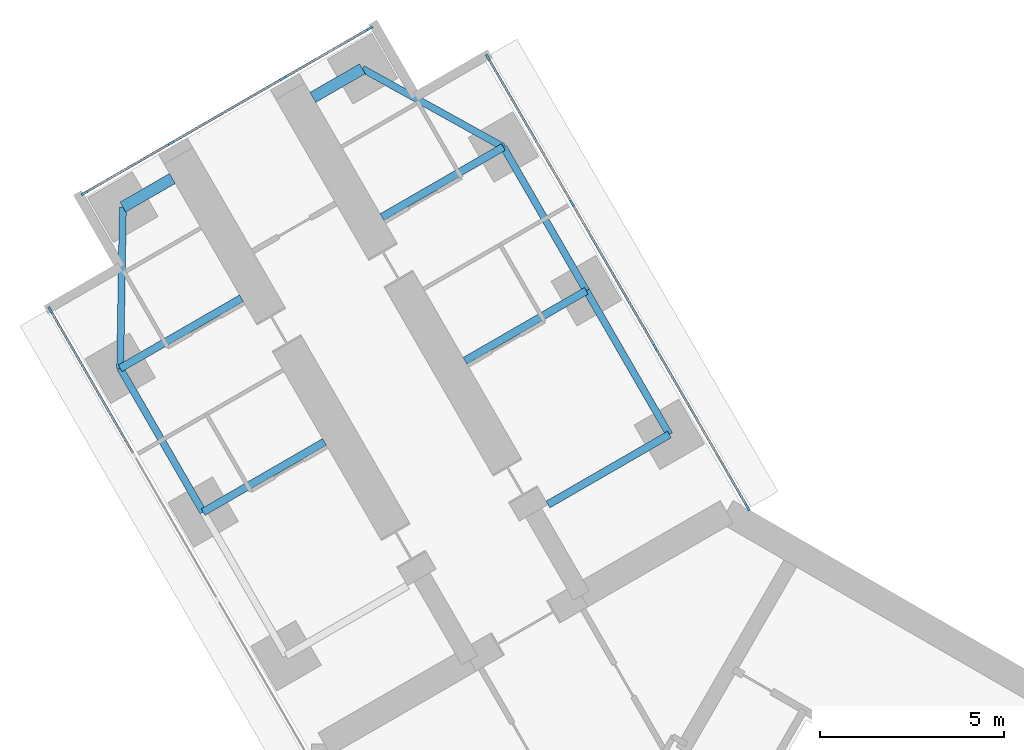
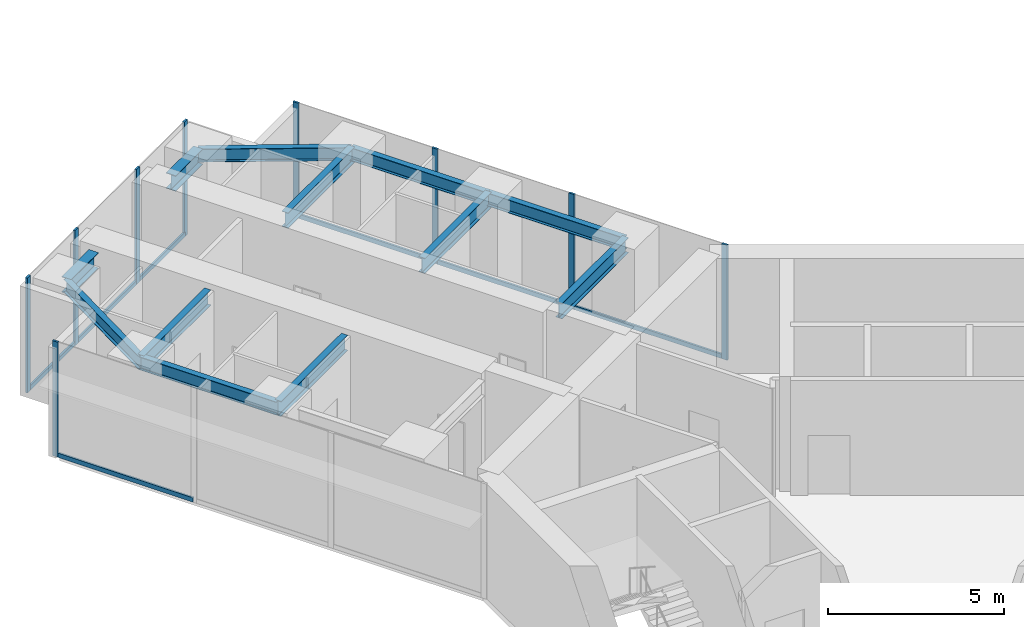
# One storey, part 7 of 25: 16 members, 12 beams, 3 elements without a shape of their own.
"""IFC4 building model written with IfcOpenShell, lengths in metres."""

from ifc_helpers import new_model, si_unit, direction, frame, origin, origin_2d, place, context, subcontext, project, spatial, rectangle, i_section, extrude, material, material_profile, profile_set, type_object, element, aggregate, save


model = new_model("IFC4")

# Units and contexts
model_context = context("Model", 3, precision=1e-05, world=origin(), true_north=direction((0.0, 1.0)))
body_context = subcontext(model_context, "Body", "Model", "MODEL_VIEW")
ifc_project = project(units=[si_unit("LENGTHUNIT", "METRE"), si_unit("AREAUNIT", "SQUARE_METRE"), si_unit("VOLUMEUNIT", "CUBIC_METRE"), si_unit("PLANEANGLEUNIT", "RADIAN"), si_unit("MASSUNIT", "GRAM", prefix="KILO")], contexts=[model_context])

# Site, building, storey
site_placement = place(None, origin())
site = spatial("IfcSite", under=ifc_project, at=site_placement, CompositionType="ELEMENT")
building_placement = place(site_placement, origin())
building = spatial("IfcBuilding", under=site, at=building_placement, Name="Upepo Twin Towers", CompositionType="ELEMENT")
storey_placement = place(building_placement, frame((0.0, 0.0, 80.5)))
storey = spatial("IfcBuildingStorey", under=building, at=storey_placement, Name="L19", CompositionType="ELEMENT", Elevation=80.5)

# Beams
ifc_material_1 = material(Name="Steel S355", Category="steel")
ifc_material_profile_1 = material_profile(ifc_material_1, i_section(OverallWidth=0.1904296875, OverallDepth=0.45703125, WebThickness=0.009033203125, FlangeThickness=0.014404296875, FilletRadius=0.01025390625, at=origin_2d()), Name="UB 457x191x74")
ifc_profile_set_1 = profile_set([ifc_material_profile_1], Name="Steel S355")
beam_type_1 = type_object("IfcBeamType", Name="Beam UB 457x191x74", PredefinedType="BEAM", material=ifc_profile_set_1)
beam_1_placement = place(storey_placement, frame((-14.196044921875, 12.58837890625, 3.571533203125), z_axis=(-0.499990139034, 0.866031096941, 0.0), x_axis=(-0.866031096941, -0.499990139034, 0.0)))
element("IfcBeam", 1, at=beam_1_placement, inside=storey, type_object=beam_type_1, Name="T1 edge beam BL 18.0-22.5", PredefinedType="BEAM", context=body_context, shape_type="SweptSolid", body=[
    extrude(i_section(OverallWidth=0.1904296875, OverallDepth=0.45703125, WebThickness=0.009033203125, FlangeThickness=0.014404296875, FilletRadius=0.01025390625, at=origin_2d()), origin(), (0.0, 0.0, 1.0), 4.5),
])
beam_2_placement = place(storey_placement, frame((-16.446044921875, 16.485595703125, 3.571533203125), z_axis=(0.016803880528, 0.999858804832, 0.0), x_axis=(-0.999858804832, 0.016803880528, 0.0)))
element("IfcBeam", 2, at=beam_2_placement, inside=storey, type_object=beam_type_1, Name="T1 nose edge beam BL", PredefinedType="BEAM", context=body_context, shape_type="SweptSolid", body=[
    extrude(i_section(OverallWidth=0.1904296875, OverallDepth=0.45703125, WebThickness=0.009033203125, FlangeThickness=0.014404296875, FilletRadius=0.01025390625, at=origin_2d()), origin(), (0.0, 0.0, 1.0), 4.373291015625),
])
beam_3_placement = place(storey_placement, frame((-1.553955078125, 14.69140625, 3.571533203125), z_axis=(-0.500013631625, 0.866017533419, 0.0), x_axis=(-0.866017533419, -0.500013631625, 0.0)))
element("IfcBeam", 3, at=beam_3_placement, inside=storey, type_object=beam_type_1, Name="T1 edge beam BR 13.5-18.0", PredefinedType="BEAM", context=body_context, shape_type="SweptSolid", body=[
    extrude(i_section(OverallWidth=0.1904296875, OverallDepth=0.45703125, WebThickness=0.009033203125, FlangeThickness=0.014404296875, FilletRadius=0.01025390625, at=origin_2d()), origin(), (0.0, 0.0, 1.0), 4.499755859375),
])
beam_4_placement = place(storey_placement, frame((-3.803955078125, 18.58837890625, 3.571533203125), z_axis=(-0.499990139034, 0.866031096941, 0.0), x_axis=(-0.866031096941, -0.499990139034, 0.0)))
element("IfcBeam", 4, at=beam_4_placement, inside=storey, type_object=beam_type_1, Name="T1 edge beam BR 18.0-22.5", PredefinedType="BEAM", context=body_context, shape_type="SweptSolid", body=[
    extrude(i_section(OverallWidth=0.1904296875, OverallDepth=0.45703125, WebThickness=0.009033203125, FlangeThickness=0.014404296875, FilletRadius=0.01025390625, at=origin_2d()), origin(), (0.0, 0.0, 1.0), 4.5),
])
beam_5_placement = place(storey_placement, frame((-6.053955078125, 22.485595703125, 3.571533203125), z_axis=(-0.874312600038, 0.485363242752, 0.0), x_axis=(-0.485363242752, -0.874312600038, 0.0)))
element("IfcBeam", 5, at=beam_5_placement, inside=storey, type_object=beam_type_1, Name="T1 nose edge beam BR", PredefinedType="BEAM", context=body_context, shape_type="SweptSolid", body=[
    extrude(i_section(OverallWidth=0.1904296875, OverallDepth=0.45703125, WebThickness=0.009033203125, FlangeThickness=0.014404296875, FilletRadius=0.01025390625, at=origin_2d()), origin(), (0.0, 0.0, 1.0), 4.373046875),
])
ifc_material_2 = material(Name="Steel S355", Category="steel")
ifc_material_profile_2 = material_profile(ifc_material_2, i_section(OverallWidth=0.209228515625, OverallDepth=0.533203125, WebThickness=0.010009765625, FlangeThickness=0.015625, FilletRadius=0.0126953125, at=origin_2d()), Name="UB 533x210x92")
ifc_profile_set_2 = profile_set([ifc_material_profile_2], Name="Steel S355")
beam_type_2 = type_object("IfcBeamType", Name="Beam UB 533x210x92", PredefinedType="BEAM", material=ifc_profile_set_2)
beam_6_placement = place(storey_placement, frame((-14.196044921875, 12.58837890625, 3.533447265625), z_axis=(0.866000483506, 0.500043160704, 0.0), x_axis=(-0.500043160704, 0.866000483506, 0.0)))
element("IfcBeam", 6, at=beam_6_placement, inside=storey, type_object=beam_type_2, Name="T1 girder BL at 18.0", PredefinedType="BEAM", context=body_context, shape_type="SweptSolid", body=[
    extrude(i_section(OverallWidth=0.209228515625, OverallDepth=0.533203125, WebThickness=0.010009765625, FlangeThickness=0.015625, FilletRadius=0.0126953125, at=origin_2d()), origin(), (0.0, 0.0, 1.0), 3.800048828125),
])
beam_7_placement = place(storey_placement, frame((-16.446044921875, 16.485595703125, 3.533447265625), z_axis=(0.866028304915, 0.499994975061, 0.0), x_axis=(-0.499994975061, 0.866028304915, 0.0)))
element("IfcBeam", 7, at=beam_7_placement, inside=storey, type_object=beam_type_2, Name="T1 girder BL at 22.5", PredefinedType="BEAM", context=body_context, shape_type="SweptSolid", body=[
    extrude(i_section(OverallWidth=0.209228515625, OverallDepth=0.533203125, WebThickness=0.010009765625, FlangeThickness=0.015625, FilletRadius=0.0126953125, at=origin_2d()), origin(), (0.0, 0.0, 1.0), 3.7998046875),
])
beam_8_placement = place(storey_placement, frame((-1.553955078125, 14.69140625, 3.533447265625), z_axis=(-0.866000483506, -0.500043160704, 0.0), x_axis=(0.500043160704, -0.866000483506, 0.0)))
element("IfcBeam", 8, at=beam_8_placement, inside=storey, type_object=beam_type_2, Name="T1 girder BR at 13.5", PredefinedType="BEAM", context=body_context, shape_type="SweptSolid", body=[
    extrude(i_section(OverallWidth=0.209228515625, OverallDepth=0.533203125, WebThickness=0.010009765625, FlangeThickness=0.015625, FilletRadius=0.0126953125, at=origin_2d()), origin(), (0.0, 0.0, 1.0), 3.800048828125),
])
for number, where, z_axis, x_axis, name in (
    (9, (-3.803955078125, 18.58837890625, 3.533447265625), (-0.866028304915, -0.499994975061, 0.0), (0.499994975061, -0.866028304915, 0.0), "T1 girder BR at 18.0"),
    (10, (-6.053955078125, 22.485595703125, 3.533447265625), (-0.866028304915, -0.499994975061, 0.0), (0.499994975061, -0.866028304915, 0.0), "T1 girder BR at 22.5"),
):
    element("IfcBeam", number, at=place(storey_placement, frame(where, z_axis=z_axis, x_axis=x_axis)), inside=storey, type_object=beam_type_2, Name=name, PredefinedType="BEAM", context=body_context, shape_type="SweptSolid", body=[
        extrude(i_section(OverallWidth=0.209228515625, OverallDepth=0.533203125, WebThickness=0.010009765625, FlangeThickness=0.015625, FilletRadius=0.0126953125, at=origin_2d()), origin(), (0.0, 0.0, 1.0), 3.7998046875),
    ])
ifc_material_3 = material(Name="Steel S355", Category="steel")
ifc_material_profile_3 = material_profile(ifc_material_3, i_section(OverallWidth=0.31201171875, OverallDepth=0.54345703125, WebThickness=0.0126953125, FlangeThickness=0.020263671875, FilletRadius=0.0126953125, at=origin_2d()), Name="UB 533x312x150")
ifc_profile_set_3 = profile_set([ifc_material_profile_3], Name="Steel S355")
beam_type_3 = type_object("IfcBeamType", Name="Beam UB 533x312x150", PredefinedType="BEAM", material=ifc_profile_set_3)
for number, where, z_axis, x_axis, name in (
    (11, (-16.37255859375, 20.858154296875, 3.5283203125), (0.866043940782, 0.499967891604, 0.0), (-0.499967891604, 0.866043940782, 0.0), "T1 nose beam BL"),
    (12, (-9.87744140625, 24.608154296875, 3.5283203125), (-0.866043940782, -0.499967891604, 0.0), (0.499967891604, -0.866043940782, 0.0), "T1 nose beam BR"),
):
    element("IfcBeam", number, at=place(storey_placement, frame(where, z_axis=z_axis, x_axis=x_axis)), inside=storey, type_object=beam_type_3, Name=name, PredefinedType="BEAM", context=body_context, shape_type="SweptSolid", body=[
        extrude(i_section(OverallWidth=0.31201171875, OverallDepth=0.54345703125, WebThickness=0.0126953125, FlangeThickness=0.020263671875, FilletRadius=0.0126953125, at=origin_2d()), origin(), (0.0, 0.0, 1.0), 1.5498046875),
    ])

# Curtain wall, member
ifc_material_4 = material(Name="Aluminium and fritted glass", Category="aluminium")
curtain_wall_type = type_object("IfcCurtainWallType", Name="Tower curtain wall TW1, fritted glass", PredefinedType="NOTDEFINED", material=ifc_material_4)
curtain_wall_1_placement = place(storey_placement, origin())
curtain_wall_1 = element("IfcCurtainWall", 13, at=curtain_wall_1_placement, inside=storey, type_object=curtain_wall_type, Name="T1 L19 wing B flank L curtain wall", PredefinedType="NOTDEFINED")
ifc_material_5 = material(Name="Aluminium mullion", Category="aluminium")
ifc_material_profile_4 = material_profile(ifc_material_5, rectangle(XDim=0.06494140625, YDim=0.179931640625, at=origin_2d()), Name="MULLION 65x180")
ifc_profile_set_4 = profile_set([ifc_material_profile_4], Name="Aluminium mullion")
member_type_1 = type_object("IfcMemberType", Name="Mullion 65x180 TW1", PredefinedType="MULLION", material=ifc_profile_set_4)
member_1_placement = place(storey_placement, frame((-18.341064453125, 18.067626953125, 0.0), z_axis=(0.0, 0.0, 1.0), x_axis=(-0.866025389682, -0.500000024426, 0.0)))
member_1 = element("IfcMember", 14, at=member_1_placement, type_object=member_type_1, Name="T1 L19 wing B flank L curtain wall mullion 4", PredefinedType="MULLION", context=body_context, shape_type="SweptSolid", body=[
    extrude(rectangle(XDim=0.06494140625, YDim=0.179931640625, at=origin_2d()), origin(), (0.0, 0.0, 1.0), 4.0),
])

# Curtain wall, members
curtain_wall_2_placement = place(storey_placement, origin())
curtain_wall_2 = element("IfcCurtainWall", 15, at=curtain_wall_2_placement, inside=storey, type_object=curtain_wall_type, Name="T1 L19 wing B flank R curtain wall", PredefinedType="NOTDEFINED")
member_2_placement = place(storey_placement, frame((-6.4765625, 24.91748046875, 0.0), z_axis=(0.0, 0.0, 1.0), x_axis=(0.866025389682, 0.500000024426, 0.0)))
member_2 = element("IfcMember", 16, at=member_2_placement, type_object=member_type_1, Name="T1 L19 wing B flank R curtain wall mullion 1", PredefinedType="MULLION", context=body_context, shape_type="SweptSolid", body=[
    extrude(rectangle(XDim=0.06494140625, YDim=0.179931640625, at=origin_2d()), origin(), (0.0, 0.0, 1.0), 4.0),
])
member_3_placement = place(storey_placement, frame((-4.192626953125, 20.9619140625, 0.0), z_axis=(0.0, 0.0, 1.0), x_axis=(0.866025389682, 0.500000024426, 0.0)))
member_3 = element("IfcMember", 17, at=member_3_placement, type_object=member_type_1, Name="T1 L19 wing B flank R curtain wall mullion 2", PredefinedType="MULLION", context=body_context, shape_type="SweptSolid", body=[
    extrude(rectangle(XDim=0.06494140625, YDim=0.179931640625, at=origin_2d()), origin(), (0.0, 0.0, 1.0), 4.0),
])
member_4_placement = place(storey_placement, frame((-1.942626953125, 17.06494140625, 0.0), z_axis=(0.0, 0.0, 1.0), x_axis=(0.866025389682, 0.500000024426, 0.0)))
member_4 = element("IfcMember", 18, at=member_4_placement, type_object=member_type_1, Name="T1 L19 wing B flank R curtain wall mullion 3", PredefinedType="MULLION", context=body_context, shape_type="SweptSolid", body=[
    extrude(rectangle(XDim=0.06494140625, YDim=0.179931640625, at=origin_2d()), origin(), (0.0, 0.0, 1.0), 4.0),
])
member_5_placement = place(storey_placement, frame((0.572509765625, 12.70849609375, 0.0), z_axis=(0.0, 0.0, 1.0), x_axis=(0.866025389682, 0.500000024426, 0.0)))
member_5 = element("IfcMember", 19, at=member_5_placement, type_object=member_type_1, Name="T1 L19 wing B flank R curtain wall mullion 4", PredefinedType="MULLION", context=body_context, shape_type="SweptSolid", body=[
    extrude(rectangle(XDim=0.06494140625, YDim=0.179931640625, at=origin_2d()), origin(), (0.0, 0.0, 1.0), 4.0),
])

curtain_wall_3_placement = place(storey_placement, origin())
curtain_wall_3 = element("IfcCurtainWall", 20, at=curtain_wall_3_placement, inside=storey, type_object=curtain_wall_type, Name="T1 L19 wing B nose curtain wall", PredefinedType="NOTDEFINED")
member_6_placement = place(storey_placement, frame((-9.68115234375, 25.703125, 0.0), z_axis=(0.0, 0.0, 1.0), x_axis=(0.500000030502, -0.866025386174, 0.0)))
member_6 = element("IfcMember", 21, at=member_6_placement, type_object=member_type_1, Name="T1 L19 wing B nose curtain wall mullion 1", PredefinedType="MULLION", context=body_context, shape_type="SweptSolid", body=[
    extrude(rectangle(XDim=0.06494140625, YDim=0.179931640625, at=origin_2d()), origin(), (0.0, 0.0, 1.0), 4.0),
])
member_7_placement = place(storey_placement, frame((-12.034423828125, 24.34423828125, 0.0), z_axis=(0.0, 0.0, 1.0), x_axis=(0.500000030502, -0.866025386174, 0.0)))
member_7 = element("IfcMember", 22, at=member_7_placement, type_object=member_type_1, Name="T1 L19 wing B nose curtain wall mullion 2", PredefinedType="MULLION", context=body_context, shape_type="SweptSolid", body=[
    extrude(rectangle(XDim=0.06494140625, YDim=0.179931640625, at=origin_2d()), origin(), (0.0, 0.0, 1.0), 4.0),
])
member_8_placement = place(storey_placement, frame((-15.0654296875, 22.59423828125, 0.0), z_axis=(0.0, 0.0, 1.0), x_axis=(0.500000030502, -0.866025386174, 0.0)))
member_8 = element("IfcMember", 23, at=member_8_placement, type_object=member_type_1, Name="T1 L19 wing B nose curtain wall mullion 3", PredefinedType="MULLION", context=body_context, shape_type="SweptSolid", body=[
    extrude(rectangle(XDim=0.06494140625, YDim=0.179931640625, at=origin_2d()), origin(), (0.0, 0.0, 1.0), 4.0),
])
member_9_placement = place(storey_placement, frame((-17.4189453125, 21.235595703125, 0.0), z_axis=(0.0, 0.0, 1.0), x_axis=(0.500000030502, -0.866025386174, 0.0)))
member_9 = element("IfcMember", 24, at=member_9_placement, type_object=member_type_1, Name="T1 L19 wing B nose curtain wall mullion 4", PredefinedType="MULLION", context=body_context, shape_type="SweptSolid", body=[
    extrude(rectangle(XDim=0.06494140625, YDim=0.179931640625, at=origin_2d()), origin(), (0.0, 0.0, 1.0), 4.0),
])

# Member
ifc_material_6 = material(Name="Aluminium transom", Category="aluminium")
ifc_material_profile_5 = material_profile(ifc_material_6, rectangle(XDim=0.06494140625, YDim=0.14990234375, at=origin_2d()), Name="TRANSOM 65x150")
ifc_profile_set_5 = profile_set([ifc_material_profile_5], Name="Aluminium transom")
member_type_2 = type_object("IfcMemberType", Name="Transom 65x150 TW1", PredefinedType="USERDEFINED", material=ifc_profile_set_5)
member_10_placement = place(storey_placement, frame((-16.073486328125, 14.14013671875, 0.074951171875), z_axis=(-0.499982167615, 0.866035699072, 0.0), x_axis=(-0.866035699072, -0.499982167615, 0.0)))
member_10 = element("IfcMember", 25, at=member_10_placement, type_object=member_type_2, Name="T1 L19 wing B flank L curtain wall transom 3", ObjectType="TRANSOM", PredefinedType="USERDEFINED", context=body_context, shape_type="SweptSolid", body=[
    extrude(rectangle(XDim=0.06494140625, YDim=0.14990234375, at=origin_2d()), origin(), (0.0, 0.0, 1.0), 4.502685546875),
])

aggregate(curtain_wall_1, [member_1, member_10])

member_11_placement = place(storey_placement, frame((-6.460205078125, 24.889404296875, 0.074951171875), z_axis=(0.500005646842, -0.866022143554, 0.0), x_axis=(0.866022143554, 0.500005646842, 0.0)))
member_11 = element("IfcMember", 26, at=member_11_placement, type_object=member_type_2, Name="T1 L19 wing B flank R curtain wall transom 1", ObjectType="TRANSOM", PredefinedType="USERDEFINED", context=body_context, shape_type="SweptSolid", body=[
    extrude(rectangle(XDim=0.06494140625, YDim=0.14990234375, at=origin_2d()), origin(), (0.0, 0.0, 1.0), 4.50244140625),
])

member_12_placement = place(storey_placement, frame((-4.176513671875, 20.933837890625, 0.074951171875), z_axis=(0.500005184116, -0.866022410713, 0.0), x_axis=(0.866022410713, 0.500005184116, 0.0)))
member_12 = element("IfcMember", 27, at=member_12_placement, type_object=member_type_2, Name="T1 L19 wing B flank R curtain wall transom 2", ObjectType="TRANSOM", PredefinedType="USERDEFINED", context=body_context, shape_type="SweptSolid", body=[
    extrude(rectangle(XDim=0.06494140625, YDim=0.14990234375, at=origin_2d()), origin(), (0.0, 0.0, 1.0), 4.43505859375),
])

member_13_placement = place(storey_placement, frame((-1.926513671875, 17.036865234375, 0.074951171875), z_axis=(0.499983492876, -0.866034933967, 0.0), x_axis=(0.866034933967, 0.499983492876, 0.0)))
member_13 = element("IfcMember", 28, at=member_13_placement, type_object=member_type_2, Name="T1 L19 wing B flank R curtain wall transom 3", ObjectType="TRANSOM", PredefinedType="USERDEFINED", context=body_context, shape_type="SweptSolid", body=[
    extrude(rectangle(XDim=0.06494140625, YDim=0.14990234375, at=origin_2d()), origin(), (0.0, 0.0, 1.0), 4.965576171875),
])

aggregate(curtain_wall_2, [member_2, member_3, member_4, member_5, member_11, member_12, member_13])

member_14_placement = place(storey_placement, frame((-9.709228515625, 25.686767578125, 0.074951171875), z_axis=(-0.866036909293, -0.499980071345, 0.0), x_axis=(0.499980071345, -0.866036909293, 0.0)))
member_14 = element("IfcMember", 29, at=member_14_placement, type_object=member_type_2, Name="T1 L19 wing B nose curtain wall transom 1", ObjectType="TRANSOM", PredefinedType="USERDEFINED", context=body_context, shape_type="SweptSolid", body=[
    extrude(rectangle(XDim=0.06494140625, YDim=0.14990234375, at=origin_2d()), origin(), (0.0, 0.0, 1.0), 2.65234375),
])

member_15_placement = place(storey_placement, frame((-12.0625, 24.328125, 0.074951171875), z_axis=(-0.866025804792, -0.499999305434, 0.0), x_axis=(0.499999305434, -0.866025804792, 0.0)))
member_15 = element("IfcMember", 30, at=member_15_placement, type_object=member_type_2, Name="T1 L19 wing B nose curtain wall transom 2", ObjectType="TRANSOM", PredefinedType="USERDEFINED", context=body_context, shape_type="SweptSolid", body=[
    extrude(rectangle(XDim=0.06494140625, YDim=0.14990234375, at=origin_2d()), origin(), (0.0, 0.0, 1.0), 3.43505859375),
])

member_16_placement = place(storey_placement, frame((-15.09375, 22.578125, 0.074951171875), z_axis=(-0.865997053448, -0.500049101008, 0.0), x_axis=(0.500049101008, -0.865997053448, 0.0)))
member_16 = element("IfcMember", 31, at=member_16_placement, type_object=member_type_2, Name="T1 L19 wing B nose curtain wall transom 3", ObjectType="TRANSOM", PredefinedType="USERDEFINED", context=body_context, shape_type="SweptSolid", body=[
    extrude(rectangle(XDim=0.06494140625, YDim=0.14990234375, at=origin_2d()), origin(), (0.0, 0.0, 1.0), 2.652587890625),
])

aggregate(curtain_wall_3, [member_6, member_7, member_8, member_9, member_14, member_15, member_16])

save(model, "model.ifc")
